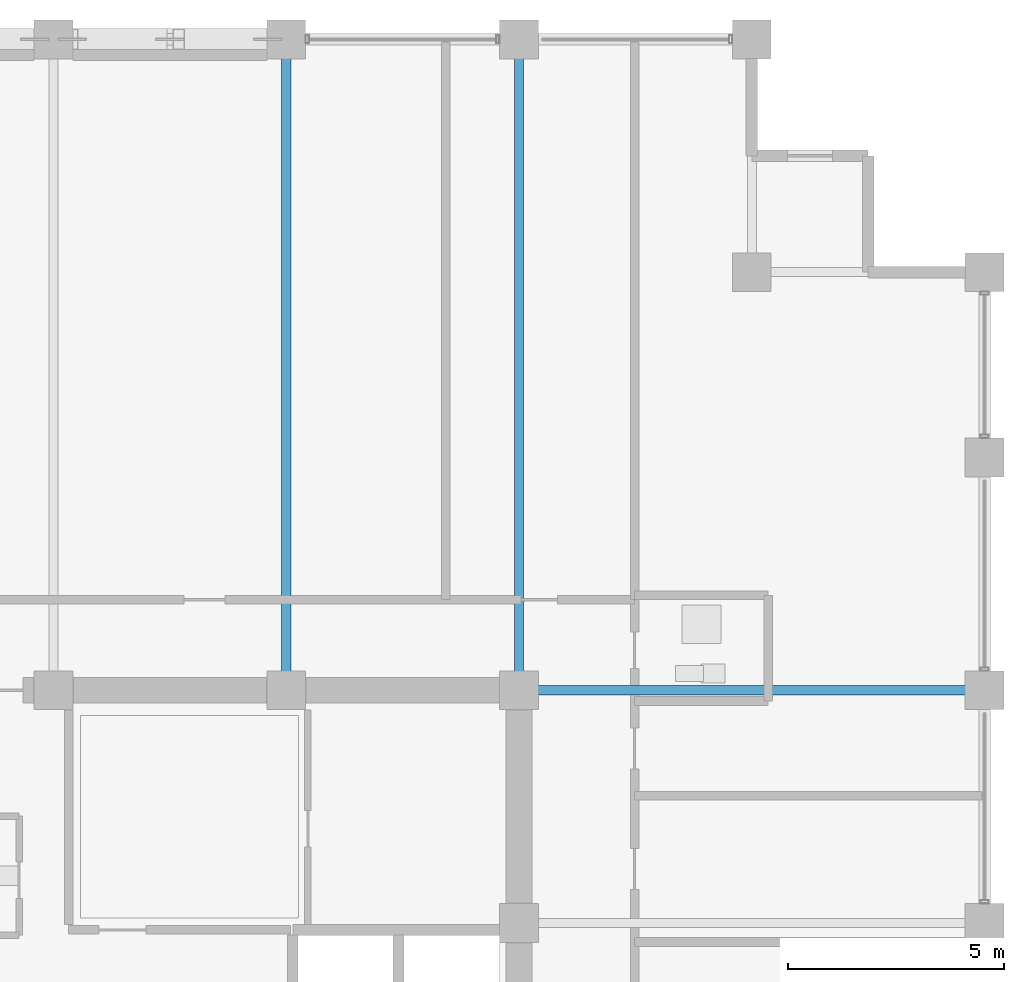
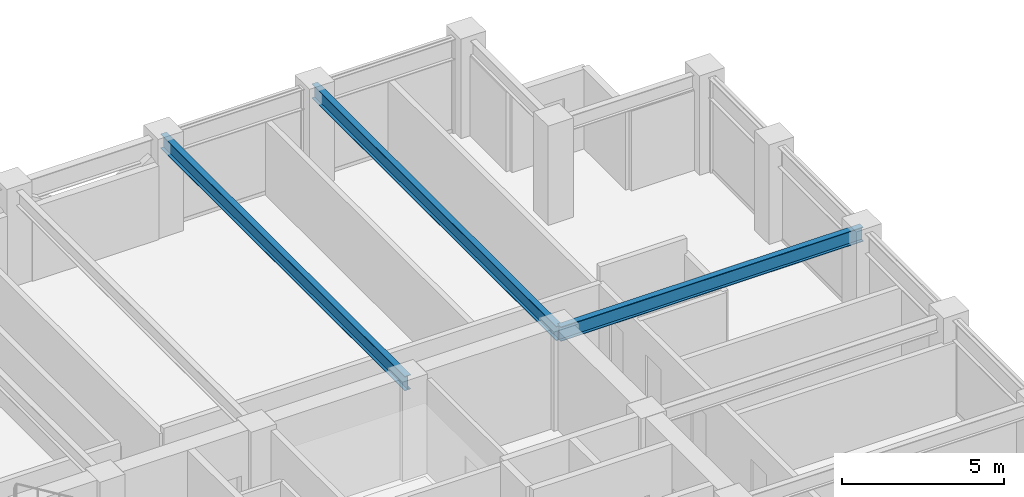
# One storey, part 22 of 32: 3 beams.
"""IFC4 building model written with IfcOpenShell, lengths in metres."""

from ifc_helpers import new_model, si_unit, direction, frame, origin, origin_2d, place, context, subcontext, project, spatial, i_section, extrude, material, material_profile, profile_set, type_object, element, save


model = new_model("IFC4")

# Units and contexts
model_context = context("Model", 3, precision=1e-05, world=origin(), true_north=direction((0.0, 1.0)))
body_context = subcontext(model_context, "Body", "Model", "MODEL_VIEW")
ifc_project = project(units=[si_unit("LENGTHUNIT", "METRE"), si_unit("AREAUNIT", "SQUARE_METRE"), si_unit("VOLUMEUNIT", "CUBIC_METRE"), si_unit("PLANEANGLEUNIT", "RADIAN"), si_unit("MASSUNIT", "GRAM", prefix="KILO")], contexts=[model_context])

# Site, building, storey
site_placement = place(None, origin())
site = spatial("IfcSite", under=ifc_project, at=site_placement, CompositionType="ELEMENT")
building_placement = place(site_placement, origin())
building = spatial("IfcBuilding", under=site, at=building_placement, Name="Surkhivell Harbour Commons", CompositionType="ELEMENT")
storey_placement = place(building_placement, frame((0.0, 0.0, 212.25)))
storey = spatial("IfcBuildingStorey", under=building, at=storey_placement, Name="L55", CompositionType="ELEMENT", Elevation=212.25)

# Beams
ifc_material = material(Name="Steel S355", Category="steel")
ifc_material_profile = material_profile(ifc_material, i_section(OverallWidth=0.2119140625, OverallDepth=0.5439453125, WebThickness=0.0126953125, FlangeThickness=0.021240234375, at=origin_2d()), Name="UB533x210x122")
ifc_profile_set = profile_set([ifc_material_profile], Name="Steel S355")
beam_type = type_object("IfcBeamType", Name="BM-GRD-533A", PredefinedType="BEAM", material=ifc_profile_set)
for number, where, z_axis, x_axis, name in (
    (1, (5.39990234375, 10.800048828125, 3.298095703125), (0.0, 1.0, 0.0), (-1.0, 0.0, 0.0), "L55 Floor Girder (5.4,10.8)"),
    (2, (10.800048828125, 10.800048828125, 3.298095703125), (0.0, 1.0, 0.0), (-1.0, 0.0, 0.0), "L55 Floor Girder (10.8,10.8)"),
):
    element("IfcBeam", number, at=place(storey_placement, frame(where, z_axis=z_axis, x_axis=x_axis)), inside=storey, type_object=beam_type, Name=name, PredefinedType="BEAM", context=body_context, shape_type="SweptSolid", body=[
        extrude(i_section(OverallWidth=0.2119140625, OverallDepth=0.5439453125, WebThickness=0.0126953125, FlangeThickness=0.021240234375, at=origin_2d()), origin(), (0.0, 0.0, 1.0), 15.099853515625),
    ])
beam_placement = place(storey_placement, frame((10.800048828125, 10.800048828125, 3.298095703125), z_axis=(1.0, 0.0, 0.0), x_axis=(0.0, 1.0, 0.0)))
element("IfcBeam", 3, at=beam_placement, inside=storey, type_object=beam_type, Name="L55 Floor Girder (10.8,10.8)", PredefinedType="BEAM", context=body_context, shape_type="SweptSolid", body=[
    extrude(i_section(OverallWidth=0.2119140625, OverallDepth=0.5439453125, WebThickness=0.0126953125, FlangeThickness=0.021240234375, at=origin_2d()), origin(), (0.0, 0.0, 1.0), 10.800048828125),
])

save(model, "model.ifc")
